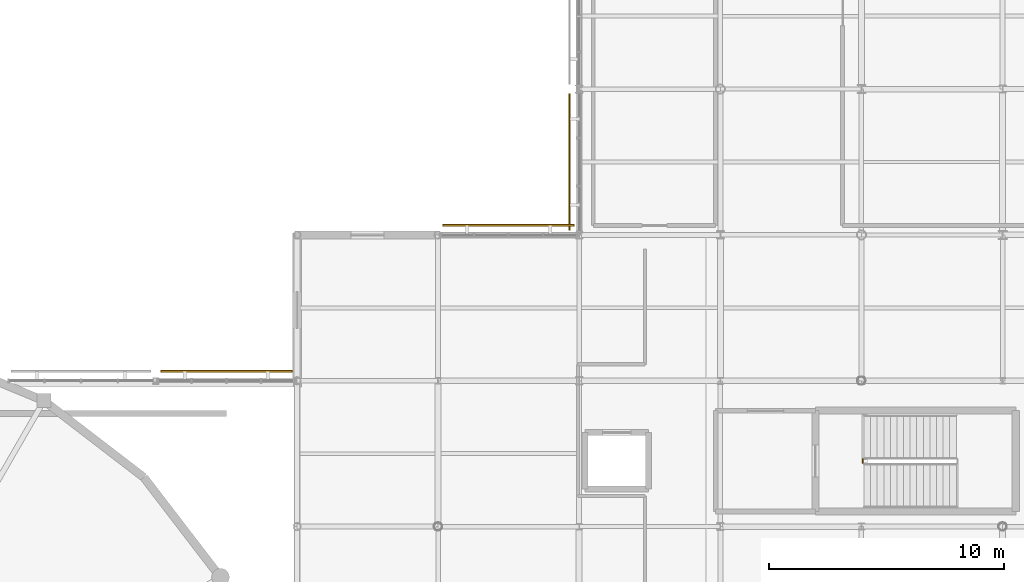
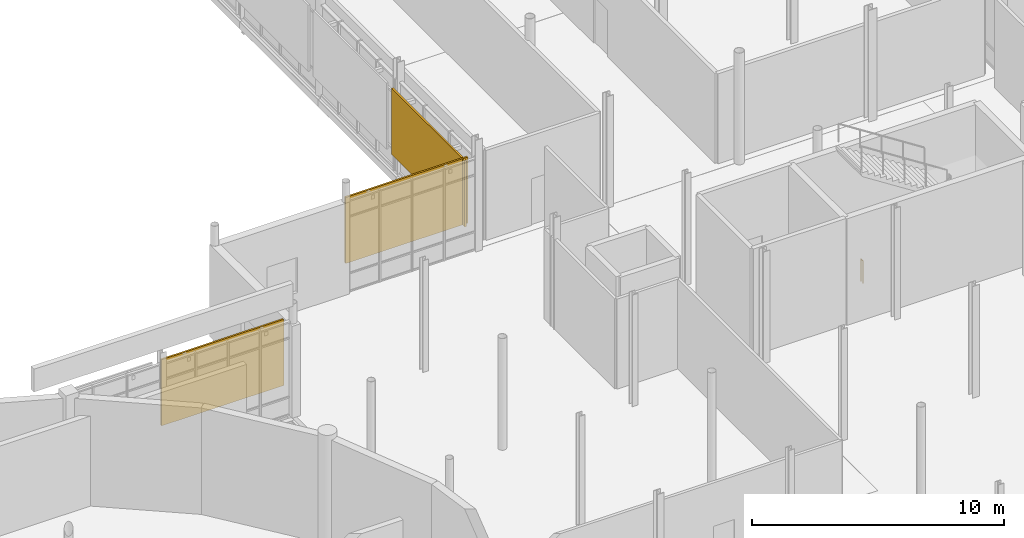
# One storey, part 99 of 105: 3 shading devices, 1 railing.
"""IFC4 building model written with IfcOpenShell, lengths in metres."""

import ifcopenshell
import ifcopenshell.guid

model = None  # the IFC model being written
_history = None  # IfcOwnerHistory: only IFC2X3 demands one
_inside = {}  # id of a spatial element -> (the spatial element, [elements in it])
_under = {}  # id of a project, library or spatial element -> (it, [spatial elements below it])
_declared = {}  # id of a project -> (the project, [libraries it declares])
_typed = {}  # id of a type object -> (the type object, [elements of that type])
_made_of = {}  # id of a material, layer set ... -> (it, [elements and type objects made of it])


def new_model(schema):
    """Start an empty IFC model of exactly this schema.

    Asked for "IFC4X3", IfcOpenShell would pick the latest addendum, in which some entities
    have other attributes; the version numbers below select the first issue.
    IFC2X3 requires an IfcOwnerHistory on every rooted entity: one is made here for all.
    """
    global model, _history
    if schema == "IFC4X3":
        model = ifcopenshell.file(schema_version=(4, 3, 0, 0))
    else:
        model = ifcopenshell.file(schema=schema)
    _inside.clear()
    _under.clear()
    _declared.clear()
    _typed.clear()
    _made_of.clear()
    _history = None
    if model.schema == "IFC2X3":
        org = make("IfcOrganization", Name="unknown")
        user = make(
            "IfcPersonAndOrganization",
            ThePerson=make("IfcPerson", FamilyName="unknown"),
            TheOrganization=org,
        )
        app = make(
            "IfcApplication",
            ApplicationDeveloper=org,
            Version="unknown",
            ApplicationFullName="unknown",
            ApplicationIdentifier="unknown",
        )
        _history = make(
            "IfcOwnerHistory",
            OwningUser=user,
            OwningApplication=app,
            ChangeAction="ADDED",
            CreationDate=0,
        )
    return model


def make(cls, **values):
    """One entity of the class cls with the attributes given. An attribute that is None is left unset."""
    return model.create_entity(
        cls, **{name: value for name, value in values.items() if value is not None}
    )


def rooted(cls, **values):
    """An entity with a GlobalId (a new one), such as an element, a storey or a relation."""
    return make(cls, GlobalId=ifcopenshell.guid.new(), OwnerHistory=_history, **values)


def si_unit(unit_type, name, prefix=None):
    """IfcSIUnit, for example si_unit("LENGTHUNIT", "METRE", prefix="MILLI")."""
    return make("IfcSIUnit", UnitType=unit_type, Prefix=prefix, Name=name)


def assignment(units):
    """IfcUnitAssignment: the units of a project."""
    return None if units is None else make("IfcUnitAssignment", Units=units)


def point(xyz):
    """IfcCartesianPoint."""
    return None if xyz is None else make("IfcCartesianPoint", Coordinates=xyz)


def direction(xyz):
    """IfcDirection."""
    return None if xyz is None else make("IfcDirection", DirectionRatios=xyz)


def frame(location, z_axis=None, x_axis=None):
    """IfcAxis2Placement3D, a coordinate frame: its origin and axes. An axis left out is left unset."""
    return make(
        "IfcAxis2Placement3D",
        Location=point(location),
        Axis=direction(z_axis),
        RefDirection=direction(x_axis),
    )


def frame_2d(location, x_axis=None):
    """IfcAxis2Placement2D, a coordinate frame in the plane: its origin and x axis."""
    return make(
        "IfcAxis2Placement2D", Location=point(location), RefDirection=direction(x_axis)
    )


def origin():
    """The frame at (0, 0, 0) with its axes left unset."""
    return frame((0.0, 0.0, 0.0))


def origin_2d():
    """The frame at (0, 0) in the plane with its x axis left unset."""
    return frame_2d((0.0, 0.0))


def place(relative_to, where):
    """IfcLocalPlacement: puts the frame where relative to a parent placement (None: the world)."""
    return make(
        "IfcLocalPlacement", PlacementRelTo=relative_to, RelativePlacement=where
    )


def context(
    kind, dimensions, precision=None, world=None, true_north=None, identifier=None
):
    """IfcGeometricRepresentationContext, for example the 3D "Model" context."""
    return make(
        "IfcGeometricRepresentationContext",
        ContextIdentifier=identifier,
        ContextType=kind,
        CoordinateSpaceDimension=dimensions,
        Precision=precision,
        WorldCoordinateSystem=world,
        TrueNorth=true_north,
    )


def subcontext(parent, identifier, kind, view, scale=None):
    """IfcGeometricRepresentationSubContext, for example "Body" below "Model"."""
    return make(
        "IfcGeometricRepresentationSubContext",
        ContextIdentifier=identifier,
        ContextType=kind,
        ParentContext=parent,
        TargetScale=scale,
        TargetView=view,
    )


def project(units=None, contexts=None):
    """IfcProject with its units and contexts."""
    return rooted(
        "IfcProject",
        Name="project",
        RepresentationContexts=contexts,
        UnitsInContext=assignment(units),
    )


def spatial(cls, under=None, at=None, **own):
    """A site, building, storey or space (cls), placed at a placement, below another one or the project."""
    s = rooted(cls, ObjectPlacement=at, **own)
    if under is not None:
        _under.setdefault(under.id(), (under, []))[1].append(s)
    return s


def profile(cls, at=None, kind="AREA", **sizes):
    """A parametric profile (cls). Its sizes go by their IFC names, for example OverallWidth=200.0."""
    return make(cls, ProfileType=kind, Position=at, **sizes)


def rectangle(**sizes):
    """IfcRectangleProfileDef."""
    return profile("IfcRectangleProfileDef", **sizes)


def circle(**sizes):
    """IfcCircleProfileDef."""
    return profile("IfcCircleProfileDef", **sizes)


def extrude(swept, where, along, depth):
    """IfcExtrudedAreaSolid: the profile swept, set in the frame where, extruded along a direction by depth."""
    return make(
        "IfcExtrudedAreaSolid",
        SweptArea=swept,
        Position=where,
        ExtrudedDirection=direction(along),
        Depth=depth,
    )


def shape(context_of_items, identifier, shape_type, items):
    """IfcShapeRepresentation: the items that make up one representation, for example the "Body"."""
    return make(
        "IfcShapeRepresentation",
        ContextOfItems=context_of_items,
        RepresentationIdentifier=identifier,
        RepresentationType=shape_type,
        Items=items,
    )


def material(Name=None, Category=None):
    """IfcMaterial."""
    return make("IfcMaterial", Name=Name, Category=Category)


def layer(
    of_material, thickness, ventilated=None, Name=None, Category=None, Priority=None
):
    """IfcMaterialLayer: one layer of a wall or slab, of a material (None: an air gap)."""
    return make(
        "IfcMaterialLayer",
        Material=of_material,
        LayerThickness=thickness,
        IsVentilated=ventilated,
        Name=Name,
        Category=Category,
        Priority=Priority,
    )


def layer_set(layers, Name=None):
    """IfcMaterialLayerSet."""
    return make("IfcMaterialLayerSet", MaterialLayers=layers, LayerSetName=Name)


def made_of(thing, what):
    """Note that an element or type object is made of a material, layer set ...; save() writes the relation."""
    if what is not None:
        _made_of.setdefault(what.id(), (what, []))[1].append(thing)
    return thing


def type_object(cls, material=None, **own):
    """A type object (cls), such as IfcWallType, which elements share."""
    return made_of(rooted(cls, **own), material)


def element(
    cls,
    number,
    at=None,
    inside=None,
    cuts=None,
    type_object=None,
    material=None,
    context=None,
    identifier="Body",
    shape_type=None,
    held_by="IfcProductDefinitionShape",
    body=None,
    shapes=None,
    **own,
):
    """One element of the class cls, such as IfcWall. Its Tag is "e" and its number.

    at: its placement. inside: the storey or other place that contains it. cuts: it is an
    opening in that element (IfcRelVoidsElement). A single representation is given by context,
    identifier, shape_type and body (its items); several are given by shapes. held_by: the class
    of the entity that holds the representations. save() writes the other relations.
    """
    e = rooted(cls, Tag="e%d" % number, ObjectPlacement=at, **own)
    if body is not None:
        shapes = [shape(context, identifier, shape_type, body)]
    if shapes is not None:
        e.Representation = make(held_by, Representations=shapes)
    if inside is not None:
        _inside.setdefault(inside.id(), (inside, []))[1].append(e)
    if cuts is not None:
        rooted(
            "IfcRelVoidsElement", RelatingBuildingElement=cuts, RelatedOpeningElement=e
        )
    if type_object is not None:
        _typed.setdefault(type_object.id(), (type_object, []))[1].append(e)
    return made_of(e, material)


def aggregate(whole, parts):
    """IfcRelAggregates: a whole, such as a stair, and the parts it consists of."""
    return rooted("IfcRelAggregates", RelatingObject=whole, RelatedObjects=parts)


def save(model, path):
    """Write the relations noted so far, then the file.

    IfcRelAggregates (storeys below a building ...), IfcRelContainedInSpatialStructure (elements
    in a storey), IfcRelDefinesByType, IfcRelAssociatesMaterial and IfcRelDeclares: one each for
    every whole, place, type object, material and project.
    """
    for whole, parts in _under.values():
        aggregate(whole, parts)
    for where, things in _inside.values():
        rooted(
            "IfcRelContainedInSpatialStructure",
            RelatedElements=things,
            RelatingStructure=where,
        )
    for kind, things in _typed.values():
        rooted("IfcRelDefinesByType", RelatedObjects=things, RelatingType=kind)
    for what, things in _made_of.values():
        rooted("IfcRelAssociatesMaterial", RelatedObjects=things, RelatingMaterial=what)
    for by, libraries in _declared.values():
        rooted("IfcRelDeclares", RelatingContext=by, RelatedDefinitions=libraries)
    model.write(path)


model = new_model("IFC4")

# Units and contexts
model_context = context("Model", 3, precision=1e-05, world=origin(), true_north=direction((0.0, 1.0)))
body_context = subcontext(model_context, "Body", "Model", "MODEL_VIEW")
ifc_project = project(units=[si_unit("LENGTHUNIT", "METRE"), si_unit("AREAUNIT", "SQUARE_METRE"), si_unit("VOLUMEUNIT", "CUBIC_METRE"), si_unit("PLANEANGLEUNIT", "RADIAN"), si_unit("MASSUNIT", "GRAM", prefix="KILO")], contexts=[model_context])

# Site, building, storey
site_placement = place(None, origin())
site = spatial("IfcSite", under=ifc_project, at=site_placement, CompositionType="ELEMENT")
building_placement = place(site_placement, origin())
building = spatial("IfcBuilding", under=site, at=building_placement, Name="Mirzam Square Science Centre", CompositionType="ELEMENT")
storey_placement = place(building_placement, frame((0.0, 0.0, 5.39990234375)))
storey = spatial("IfcBuildingStorey", under=building, at=storey_placement, Name="L01", CompositionType="ELEMENT", Elevation=5.39990234375)

# Railing
ifc_material_1 = material(Name="Bronze-Anodised Architectural Balustrade", Category="aluminium")
railing_type = type_object("IfcRailingType", Name="RL-INT-GUARD-1100", PredefinedType="GUARDRAIL", material=ifc_material_1)
railing_placement = place(storey_placement, frame((126.06005859375, 77.110107421875, 0.0)))
element("IfcRailing", 1, at=railing_placement, inside=storey, type_object=railing_type, Name="L01 ST-04 stair guard 4", PredefinedType="GUARDRAIL", context=body_context, shape_type="SweptSolid", body=[
    extrude(circle(Radius=0.02392578125, at=origin_2d()), frame((0.0, 0.0, 1.076171875), z_axis=(0.0, 1.0, 0.0), x_axis=(-1.0, 0.0, 0.0)), (0.0, 0.0, 1.0), 0.14990234375),
    extrude(circle(Radius=0.02099609375, at=origin_2d()), origin(), (0.0, 0.0, 1.0), 1.052001953125),
    extrude(circle(Radius=0.02099609375, at=origin_2d()), frame((0.0, 0.14990234375, 0.0)), (0.0, 0.0, 1.0), 1.052001953125),
])

# Shading devices
ifc_material_2 = material(Name="Perforated Bronze-Anodised Aluminium Brise-Soleil", Category="aluminium")
ifc_layer = layer(ifc_material_2, 0.080078125)
ifc_layer_set = layer_set([ifc_layer], Name="SHD-BRISE-BRONZE")
shading_device_type = type_object("IfcShadingDeviceType", Name="SHD-BRISE-BRONZE", PredefinedType="JALOUSIE", material=ifc_layer_set)
for number, where, z_axis, x_axis, name in (
    (2, (99.0, 81.010009765625, 1.2001953125), (0.0, 0.0, 1.0), (-1.0, 0.0, 0.0), "L01 bronze brise-soleil screen 48"),
    (3, (111.0, 87.2099609375, 1.09033203125), (0.0, 0.0, 1.0), (-1.0, 0.0, 0.0), "L01 bronze brise-soleil screen 79"),
):
    element("IfcShadingDevice", number, at=place(storey_placement, frame(where, z_axis=z_axis, x_axis=x_axis)), inside=storey, type_object=shading_device_type, Name=name, PredefinedType="JALOUSIE", context=body_context, shape_type="SweptSolid", body=[
        extrude(rectangle(XDim=5.590087890625, YDim=0.080078125, at=origin_2d()), origin(), (0.0, 0.0, 1.0), 3.199951171875),
    ])
shading_device_placement = place(storey_placement, frame((113.590087890625, 89.89990234375, 1.09033203125), z_axis=(0.0, 0.0, 1.0), x_axis=(0.0, -1.0, 0.0)))
element("IfcShadingDevice", 4, at=shading_device_placement, inside=storey, type_object=shading_device_type, Name="L01 bronze brise-soleil screen 82", PredefinedType="JALOUSIE", context=body_context, shape_type="SweptSolid", body=[
    extrude(rectangle(XDim=5.7900390625, YDim=0.080078125, at=origin_2d()), origin(), (0.0, 0.0, 1.0), 3.199951171875),
])

save(model, "model.ifc")
